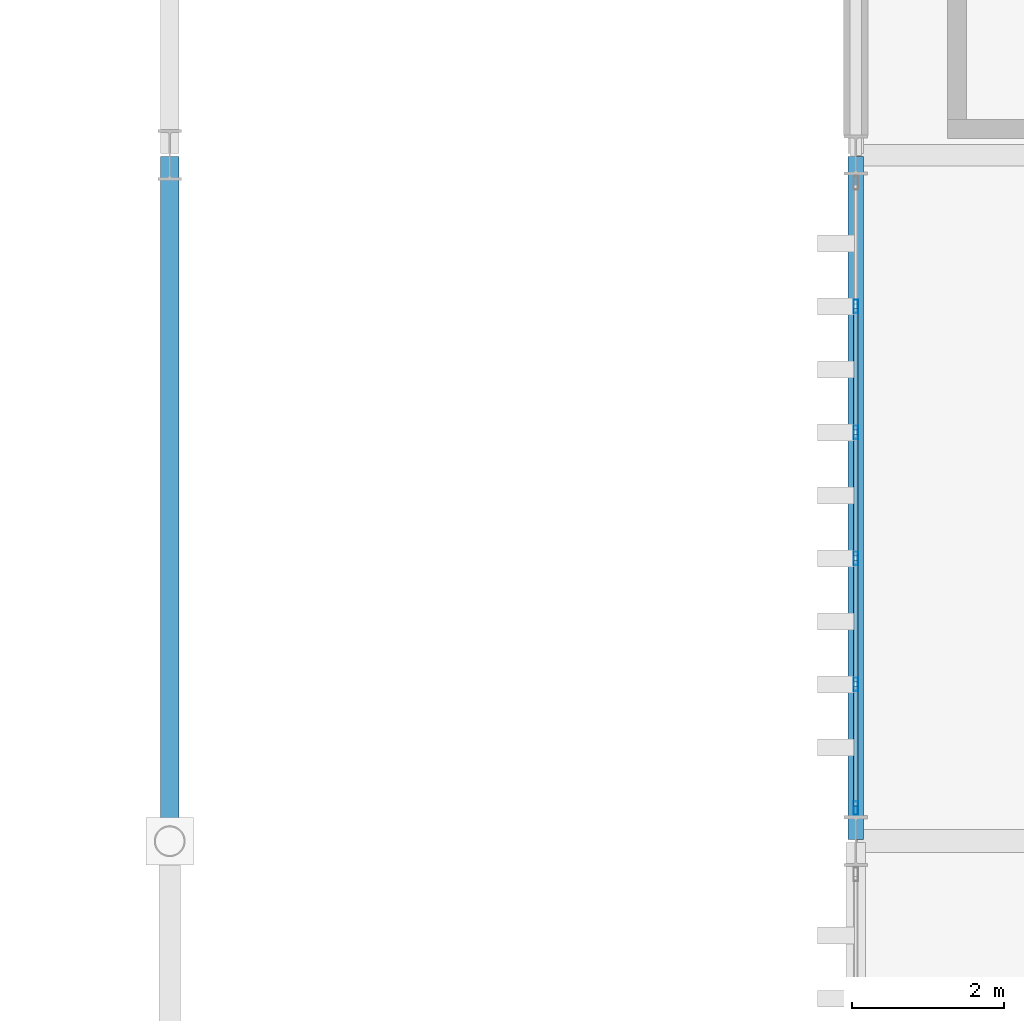
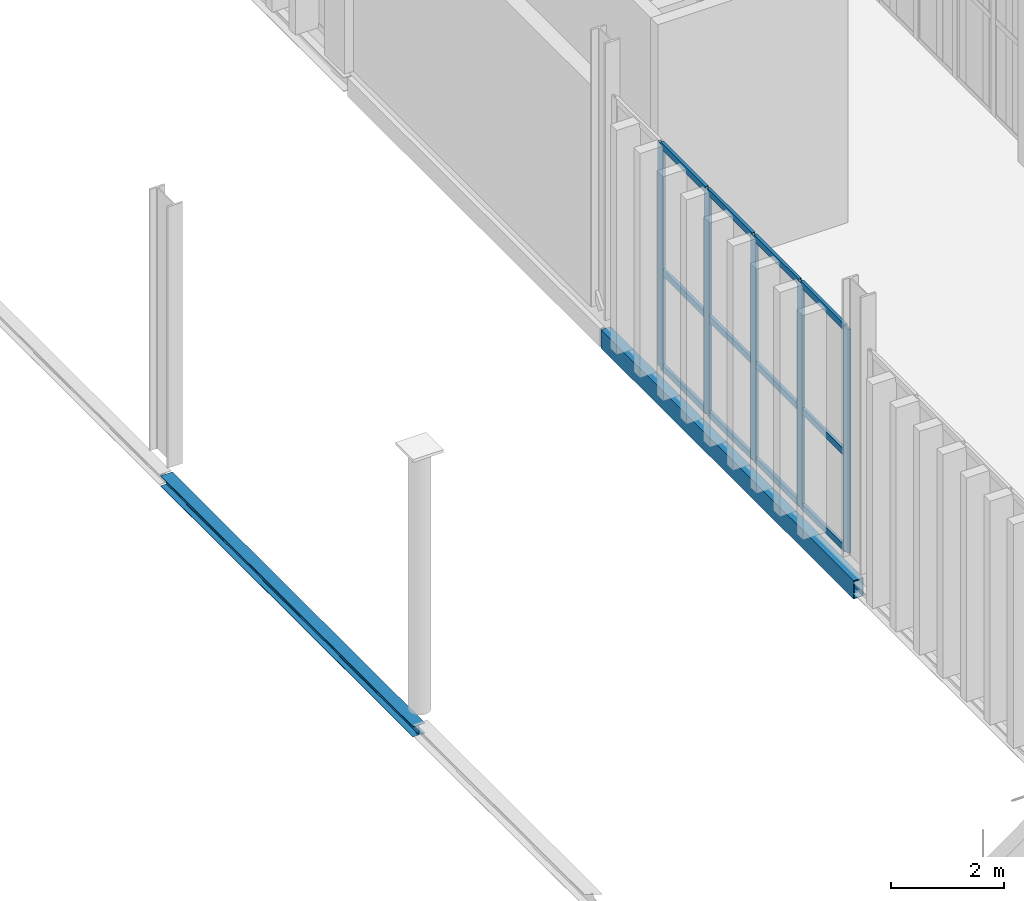
# One storey, part 101 of 237: 17 members, 2 beams, 1 element without a shape of its own.
"""IFC4 building model written with IfcOpenShell, lengths in metres."""

from ifc_helpers import new_model, si_unit, direction, frame, origin, origin_2d, place, context, subcontext, project, spatial, hollow_rectangle, i_section, extrude, material, layer, layer_set, material_profile, profile_set, type_object, element, aggregate, save


model = new_model("IFC4")

# Units and contexts
model_context = context("Model", 3, precision=1e-05, world=origin(), true_north=direction((0.0, 1.0)))
body_context = subcontext(model_context, "Body", "Model", "MODEL_VIEW")
ifc_project = project(units=[si_unit("LENGTHUNIT", "METRE"), si_unit("AREAUNIT", "SQUARE_METRE"), si_unit("VOLUMEUNIT", "CUBIC_METRE"), si_unit("PLANEANGLEUNIT", "RADIAN"), si_unit("MASSUNIT", "GRAM", prefix="KILO")], contexts=[model_context])

# Site, building, storey
site_placement = place(None, origin())
site = spatial("IfcSite", under=ifc_project, at=site_placement, CompositionType="ELEMENT")
building_placement = place(site_placement, origin())
building = spatial("IfcBuilding", under=site, at=building_placement, Name="Barlavento Convention Centre", CompositionType="ELEMENT")
storey_placement = place(building_placement, frame((0.0, 0.0, 12.0)))
storey = spatial("IfcBuildingStorey", under=building, at=storey_placement, Name="L02", CompositionType="ELEMENT", Elevation=12.0)

# Curtain wall, members
ifc_material_1 = material(Name="Powder-coated aluminium and Low-E glass", Category="aluminium")
ifc_layer = layer(ifc_material_1, 0.195068359375)
ifc_layer_set = layer_set([ifc_layer], Name="ARC-CW-BALL-L02")
curtain_wall_type = type_object("IfcCurtainWallType", Name="ARC-CW-BALL-L02", PredefinedType="NOTDEFINED", material=ifc_layer_set)
curtain_wall_placement = place(storey_placement, origin())
curtain_wall = element("IfcCurtainWall", 1, at=curtain_wall_placement, inside=storey, type_object=curtain_wall_type, Name="L02 unitised curtain wall CW07", PredefinedType="NOTDEFINED")
ifc_material_2 = material(Name="Powder-coated aluminium", Category="aluminium")
ifc_material_profile_1 = material_profile(ifc_material_2, hollow_rectangle(XDim=0.06005859375, YDim=0.179931640625, WallThickness=0.0048828125, at=origin_2d()), Name="AL-MULL 60x180x5")
ifc_profile_set_1 = profile_set([ifc_material_profile_1], Name="Powder-coated aluminium")
member_type_1 = type_object("IfcMemberType", Name="ARC-CWM-60X180", PredefinedType="MULLION", material=ifc_profile_set_1)
member_1_placement = place(storey_placement, frame((126.0, 72.43408203125, 0.0), z_axis=(0.0, 0.0, 1.0), x_axis=(-1.0, 0.0, 0.0)))
member_1 = element("IfcMember", 2, at=member_1_placement, type_object=member_type_1, Name="CW07 mullion 1", PredefinedType="MULLION", context=body_context, shape_type="SweptSolid", body=[
    extrude(hollow_rectangle(XDim=0.06005859375, YDim=0.179931640625, WallThickness=0.0048828125, at=origin_2d()), origin(), (0.0, 0.0, 1.0), 4.85009765625),
])
member_2_placement = place(storey_placement, frame((126.0, 74.056884765625, 0.0), z_axis=(0.0, 0.0, 1.0), x_axis=(-1.0, 0.0, 0.0)))
member_2 = element("IfcMember", 3, at=member_2_placement, type_object=member_type_1, Name="CW07 mullion 2", PredefinedType="MULLION", context=body_context, shape_type="SweptSolid", body=[
    extrude(hollow_rectangle(XDim=0.06005859375, YDim=0.179931640625, WallThickness=0.0048828125, at=origin_2d()), origin(), (0.0, 0.0, 1.0), 4.85009765625),
])
member_3_placement = place(storey_placement, frame((126.0, 75.709716796875, 0.0), z_axis=(0.0, 0.0, 1.0), x_axis=(-1.0, 0.0, 0.0)))
member_3 = element("IfcMember", 4, at=member_3_placement, type_object=member_type_1, Name="CW07 mullion 3", PredefinedType="MULLION", context=body_context, shape_type="SweptSolid", body=[
    extrude(hollow_rectangle(XDim=0.06005859375, YDim=0.179931640625, WallThickness=0.0048828125, at=origin_2d()), origin(), (0.0, 0.0, 1.0), 4.85009765625),
])
member_4_placement = place(storey_placement, frame((126.0, 77.3623046875, 0.0), z_axis=(0.0, 0.0, 1.0), x_axis=(-1.0, 0.0, 0.0)))
member_4 = element("IfcMember", 5, at=member_4_placement, type_object=member_type_1, Name="CW07 mullion 4", PredefinedType="MULLION", context=body_context, shape_type="SweptSolid", body=[
    extrude(hollow_rectangle(XDim=0.06005859375, YDim=0.179931640625, WallThickness=0.0048828125, at=origin_2d()), origin(), (0.0, 0.0, 1.0), 4.85009765625),
])
member_5_placement = place(storey_placement, frame((126.0, 79.01513671875, 0.0), z_axis=(0.0, 0.0, 1.0), x_axis=(-1.0, 0.0, 0.0)))
member_5 = element("IfcMember", 6, at=member_5_placement, type_object=member_type_1, Name="CW07 mullion 5", PredefinedType="MULLION", context=body_context, shape_type="SweptSolid", body=[
    extrude(hollow_rectangle(XDim=0.06005859375, YDim=0.179931640625, WallThickness=0.0048828125, at=origin_2d()), origin(), (0.0, 0.0, 1.0), 4.85009765625),
])
ifc_material_profile_2 = material_profile(ifc_material_2, hollow_rectangle(XDim=0.06005859375, YDim=0.139892578125, WallThickness=0.00390625, at=origin_2d()), Name="AL-TRAN 60x140x4")
ifc_profile_set_2 = profile_set([ifc_material_profile_2], Name="Powder-coated aluminium")
member_type_2 = type_object("IfcMemberType", Name="ARC-CWT-60X140", PredefinedType="USERDEFINED", material=ifc_profile_set_2)
member_6_placement = place(storey_placement, frame((126.0, 72.464111328125, 0.030029296875), z_axis=(0.0, 1.0, 0.0), x_axis=(-1.0, 0.0, 0.0)))
member_6 = element("IfcMember", 7, at=member_6_placement, type_object=member_type_2, Name="CW07 transom 1.1", ObjectType="TRANSOM", PredefinedType="USERDEFINED", context=body_context, shape_type="SweptSolid", body=[
    extrude(hollow_rectangle(XDim=0.06005859375, YDim=0.139892578125, WallThickness=0.00390625, at=origin_2d()), origin(), (0.0, 0.0, 1.0), 1.562744140625),
])
member_7_placement = place(storey_placement, frame((126.0, 72.464111328125, 2.10009765625), z_axis=(0.0, 1.0, 0.0), x_axis=(-1.0, 0.0, 0.0)))
member_7 = element("IfcMember", 8, at=member_7_placement, type_object=member_type_2, Name="CW07 transom 1.2", ObjectType="TRANSOM", PredefinedType="USERDEFINED", context=body_context, shape_type="SweptSolid", body=[
    extrude(hollow_rectangle(XDim=0.06005859375, YDim=0.139892578125, WallThickness=0.00390625, at=origin_2d()), origin(), (0.0, 0.0, 1.0), 1.562744140625),
])
member_8_placement = place(storey_placement, frame((126.0, 72.464111328125, 4.820068359375), z_axis=(0.0, 1.0, 0.0), x_axis=(-1.0, 0.0, 0.0)))
member_8 = element("IfcMember", 9, at=member_8_placement, type_object=member_type_2, Name="CW07 transom 1.3", ObjectType="TRANSOM", PredefinedType="USERDEFINED", context=body_context, shape_type="SweptSolid", body=[
    extrude(hollow_rectangle(XDim=0.06005859375, YDim=0.139892578125, WallThickness=0.00390625, at=origin_2d()), origin(), (0.0, 0.0, 1.0), 1.562744140625),
])
member_9_placement = place(storey_placement, frame((126.0, 74.0869140625, 0.030029296875), z_axis=(0.0, 1.0, 0.0), x_axis=(-1.0, 0.0, 0.0)))
member_9 = element("IfcMember", 10, at=member_9_placement, type_object=member_type_2, Name="CW07 transom 2.1", ObjectType="TRANSOM", PredefinedType="USERDEFINED", context=body_context, shape_type="SweptSolid", body=[
    extrude(hollow_rectangle(XDim=0.06005859375, YDim=0.139892578125, WallThickness=0.00390625, at=origin_2d()), origin(), (0.0, 0.0, 1.0), 1.5927734375),
])
member_10_placement = place(storey_placement, frame((126.0, 74.0869140625, 2.10009765625), z_axis=(0.0, 1.0, 0.0), x_axis=(-1.0, 0.0, 0.0)))
member_10 = element("IfcMember", 11, at=member_10_placement, type_object=member_type_2, Name="CW07 transom 2.2", ObjectType="TRANSOM", PredefinedType="USERDEFINED", context=body_context, shape_type="SweptSolid", body=[
    extrude(hollow_rectangle(XDim=0.06005859375, YDim=0.139892578125, WallThickness=0.00390625, at=origin_2d()), origin(), (0.0, 0.0, 1.0), 1.5927734375),
])
member_11_placement = place(storey_placement, frame((126.0, 74.0869140625, 4.820068359375), z_axis=(0.0, 1.0, 0.0), x_axis=(-1.0, 0.0, 0.0)))
member_11 = element("IfcMember", 12, at=member_11_placement, type_object=member_type_2, Name="CW07 transom 2.3", ObjectType="TRANSOM", PredefinedType="USERDEFINED", context=body_context, shape_type="SweptSolid", body=[
    extrude(hollow_rectangle(XDim=0.06005859375, YDim=0.139892578125, WallThickness=0.00390625, at=origin_2d()), origin(), (0.0, 0.0, 1.0), 1.5927734375),
])
member_12_placement = place(storey_placement, frame((126.0, 75.739501953125, 0.030029296875), z_axis=(0.0, 1.0, 0.0), x_axis=(-1.0, 0.0, 0.0)))
member_12 = element("IfcMember", 13, at=member_12_placement, type_object=member_type_2, Name="CW07 transom 3.1", ObjectType="TRANSOM", PredefinedType="USERDEFINED", context=body_context, shape_type="SweptSolid", body=[
    extrude(hollow_rectangle(XDim=0.06005859375, YDim=0.139892578125, WallThickness=0.00390625, at=origin_2d()), origin(), (0.0, 0.0, 1.0), 1.593017578125),
])
member_13_placement = place(storey_placement, frame((126.0, 75.739501953125, 2.10009765625), z_axis=(0.0, 1.0, 0.0), x_axis=(-1.0, 0.0, 0.0)))
member_13 = element("IfcMember", 14, at=member_13_placement, type_object=member_type_2, Name="CW07 transom 3.2", ObjectType="TRANSOM", PredefinedType="USERDEFINED", context=body_context, shape_type="SweptSolid", body=[
    extrude(hollow_rectangle(XDim=0.06005859375, YDim=0.139892578125, WallThickness=0.00390625, at=origin_2d()), origin(), (0.0, 0.0, 1.0), 1.593017578125),
])
member_14_placement = place(storey_placement, frame((126.0, 75.739501953125, 4.820068359375), z_axis=(0.0, 1.0, 0.0), x_axis=(-1.0, 0.0, 0.0)))
member_14 = element("IfcMember", 15, at=member_14_placement, type_object=member_type_2, Name="CW07 transom 3.3", ObjectType="TRANSOM", PredefinedType="USERDEFINED", context=body_context, shape_type="SweptSolid", body=[
    extrude(hollow_rectangle(XDim=0.06005859375, YDim=0.139892578125, WallThickness=0.00390625, at=origin_2d()), origin(), (0.0, 0.0, 1.0), 1.593017578125),
])
member_15_placement = place(storey_placement, frame((126.0, 77.392333984375, 0.030029296875), z_axis=(0.0, 1.0, 0.0), x_axis=(-1.0, 0.0, 0.0)))
member_15 = element("IfcMember", 16, at=member_15_placement, type_object=member_type_2, Name="CW07 transom 4.1", ObjectType="TRANSOM", PredefinedType="USERDEFINED", context=body_context, shape_type="SweptSolid", body=[
    extrude(hollow_rectangle(XDim=0.06005859375, YDim=0.139892578125, WallThickness=0.00390625, at=origin_2d()), origin(), (0.0, 0.0, 1.0), 1.5927734375),
])
member_16_placement = place(storey_placement, frame((126.0, 77.392333984375, 2.10009765625), z_axis=(0.0, 1.0, 0.0), x_axis=(-1.0, 0.0, 0.0)))
member_16 = element("IfcMember", 17, at=member_16_placement, type_object=member_type_2, Name="CW07 transom 4.2", ObjectType="TRANSOM", PredefinedType="USERDEFINED", context=body_context, shape_type="SweptSolid", body=[
    extrude(hollow_rectangle(XDim=0.06005859375, YDim=0.139892578125, WallThickness=0.00390625, at=origin_2d()), origin(), (0.0, 0.0, 1.0), 1.5927734375),
])
member_17_placement = place(storey_placement, frame((126.0, 77.392333984375, 4.820068359375), z_axis=(0.0, 1.0, 0.0), x_axis=(-1.0, 0.0, 0.0)))
member_17 = element("IfcMember", 18, at=member_17_placement, type_object=member_type_2, Name="CW07 transom 4.3", ObjectType="TRANSOM", PredefinedType="USERDEFINED", context=body_context, shape_type="SweptSolid", body=[
    extrude(hollow_rectangle(XDim=0.06005859375, YDim=0.139892578125, WallThickness=0.00390625, at=origin_2d()), origin(), (0.0, 0.0, 1.0), 1.5927734375),
])
aggregate(curtain_wall, [member_1, member_2, member_3, member_4, member_5, member_6, member_7, member_8, member_9, member_10, member_11, member_12, member_13, member_14, member_15, member_16, member_17])

# Beams
ifc_material_3 = material(Name="Steel S355", Category="steel")
ifc_material_profile_3 = material_profile(ifc_material_3, i_section(OverallWidth=0.239990234375, OverallDepth=0.22998046875, WebThickness=0.007568359375, FlangeThickness=0.011962890625, FilletRadius=0.02099609375, at=origin_2d()), Name="HEA 240")
ifc_profile_set_3 = profile_set([ifc_material_profile_3], Name="Steel S355")
beam_type_1 = type_object("IfcBeamType", Name="STR-BM-SPN-HEA240", PredefinedType="SPANDREL", material=ifc_profile_set_3)
beam_1_placement = place(storey_placement, frame((117.0, 72.02001953125, -0.47509765625), z_axis=(0.0, 1.0, 0.0), x_axis=(-1.0, 0.0, 0.0)))
element("IfcBeam", 19, at=beam_1_placement, inside=storey, type_object=beam_type_1, Name="L02 grid girder SP05", PredefinedType="SPANDREL", context=body_context, shape_type="SweptSolid", body=[
    extrude(i_section(OverallWidth=0.239990234375, OverallDepth=0.22998046875, WebThickness=0.007568359375, FlangeThickness=0.011962890625, FilletRadius=0.02099609375, at=origin_2d()), origin(), (0.0, 0.0, 1.0), 8.9599609375),
])
ifc_material_profile_4 = material_profile(ifc_material_3, hollow_rectangle(XDim=0.199951171875, YDim=0.39990234375, WallThickness=0.01611328125, at=origin_2d()), Name="RHS 400x200x16.0")
ifc_profile_set_4 = profile_set([ifc_material_profile_4], Name="Steel S355")
beam_type_2 = type_object("IfcBeamType", Name="STR-BM-SPN-RHS400", PredefinedType="SPANDREL", material=ifc_profile_set_4)
beam_2_placement = place(storey_placement, frame((126.0, 72.02001953125, -0.56005859375), z_axis=(0.0, 1.0, 0.0), x_axis=(-1.0, 0.0, 0.0)))
element("IfcBeam", 20, at=beam_2_placement, inside=storey, type_object=beam_type_2, Name="L02 grid girder SP06", PredefinedType="SPANDREL", context=body_context, shape_type="SweptSolid", body=[
    extrude(hollow_rectangle(XDim=0.199951171875, YDim=0.39990234375, WallThickness=0.01611328125, at=origin_2d()), origin(), (0.0, 0.0, 1.0), 8.9599609375),
])

save(model, "model.ifc")
